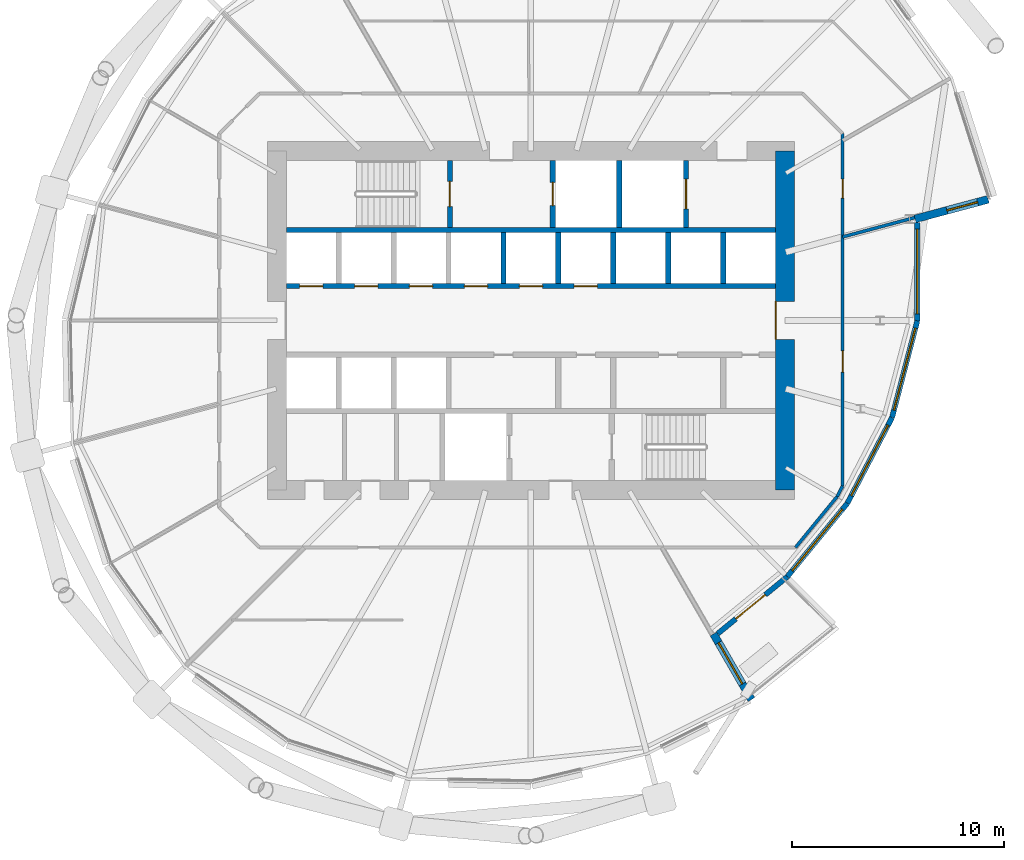
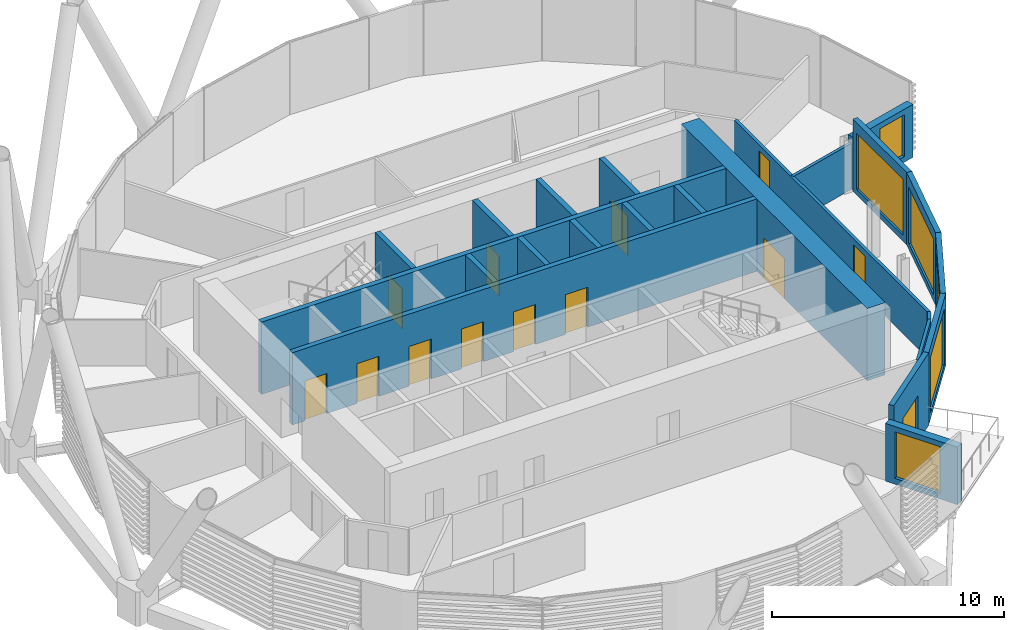
# One storey, part 29 of 40: 23 walls, 13 doors, 6 windows, 19 openings.
"""IFC4 building model written with IfcOpenShell, lengths in metres."""

from ifc_helpers import new_model, si_unit, direction, frame, frame_2d, origin, place, context, subcontext, project, spatial, rectangle, extrude, material, layer, layer_set, type_object, element, fill, save


model = new_model("IFC4")

# Units and contexts
model_context = context("Model", 3, precision=1e-05, world=origin(), true_north=direction((0.0, 1.0)))
body_context = subcontext(model_context, "Body", "Model", "MODEL_VIEW")
ifc_project = project(units=[si_unit("LENGTHUNIT", "METRE"), si_unit("AREAUNIT", "SQUARE_METRE"), si_unit("VOLUMEUNIT", "CUBIC_METRE"), si_unit("PLANEANGLEUNIT", "RADIAN"), si_unit("MASSUNIT", "GRAM", prefix="KILO")], contexts=[model_context])

# Site, building, storey
site_placement = place(None, origin())
site = spatial("IfcSite", under=ifc_project, at=site_placement, CompositionType="ELEMENT")
building_placement = place(site_placement, origin())
building = spatial("IfcBuilding", under=site, at=building_placement, Name="Rimbun Link Towers", CompositionType="ELEMENT")
storey_placement = place(building_placement, frame((0.0, 0.0, 52.800048828125)))
storey = spatial("IfcBuildingStorey", under=building, at=storey_placement, Name="L12", CompositionType="ELEMENT", Elevation=52.800048828125)

# Wall, opening, door
ifc_material_1 = material(Name="Dark enamelled glass spandrel on insulated aluminium backpan", Category="aluminium")
ifc_layer_1 = layer(ifc_material_1, 0.25)
ifc_layer_set_1 = layer_set([ifc_layer_1], Name="CS dark enamelled spandrel wall 250")
wall_type_1 = type_object("IfcWallType", Name="CS dark enamelled spandrel wall 250", PredefinedType="STANDARD", material=ifc_layer_set_1)
wall_1_placement = place(storey_placement, frame((43.859130859375, -12.109130859375, 0.0), z_axis=(0.0, 0.0, 1.0), x_axis=(-0.773862321131, -0.633353856809, 0.0)))
wall_1 = element("IfcWall", 1, at=wall_1_placement, inside=storey, type_object=wall_type_1, Name="Crease spandrel wall", PredefinedType="STANDARD", context=body_context, shape_type="SweptSolid", body=[
    extrude(rectangle(XDim=4.23779296875, YDim=0.25, at=frame_2d((2.118896484375, 0.0))), origin(), (0.0, 0.0, 1.0), 3.800048828125),
])
opening_1_placement = place(wall_1_placement, frame((1.341552734375, 0.0, 0.0)))
opening_1 = element("IfcOpeningElement", 2, at=opening_1_placement, cuts=wall_1, Name="Opening ED56", PredefinedType="OPENING", context=body_context, shape_type="SweptSolid", body=[
    extrude(rectangle(XDim=1.800048828125, YDim=2.39990234375, at=frame_2d((0.89990234375, 1.199951171875))), frame((0.0, 0.135009765625, 0.0), z_axis=(0.0, -1.0, 0.0), x_axis=(1.0, 0.0, 0.0)), (0.0, 0.0, 1.0), 0.27001953125),
])
ifc_material_2 = material(Name="Aluminium framed glazed door, low-iron glass", Category="aluminium")
door_type_1 = type_object("IfcDoorType", Name="ED terrace door double leaf 1800X2400", OperationType="DOUBLE_DOOR_SINGLE_SWING", PredefinedType="DOOR", material=ifc_material_2)
door_1_placement = place(opening_1_placement, origin())
door_1 = element("IfcDoor", 3, at=door_1_placement, inside=storey, type_object=door_type_1, Name="Terrace door", OperationType="SINGLE_SWING_LEFT", OverallHeight=2.39990234375, OverallWidth=1.800048828125, PredefinedType="DOOR", context=body_context, shape_type="SweptSolid", body=[
    extrude(rectangle(XDim=1.800048828125, YDim=2.39990234375, at=frame_2d((0.89990234375, 1.199951171875))), frame((0.0, 0.02490234375, 0.0), z_axis=(0.0, -1.0, 0.0), x_axis=(1.0, 0.0, 0.0)), (0.0, 0.0, 1.0), 0.050048828125),
])
fill(opening_1, door_1)

# Wall, opening, window
wall_2_placement = place(storey_placement, frame((46.698974609375, -8.639404296875, 0.0), z_axis=(0.0, 0.0, 1.0), x_axis=(-0.633368246821, -0.773850543657, 0.0)))
wall_2 = element("IfcWall", 4, at=wall_2_placement, inside=storey, type_object=wall_type_1, Name="Crease spandrel wall", PredefinedType="STANDARD", context=body_context, shape_type="SweptSolid", body=[
    extrude(rectangle(XDim=4.483642578125, YDim=0.25, at=frame_2d((2.24169921875, 0.0))), origin(), (0.0, 0.0, 1.0), 3.800048828125),
])
opening_2_placement = place(wall_2_placement, frame((0.366943359375, 0.0, 0.300048828125)))
opening_2 = element("IfcOpeningElement", 5, at=opening_2_placement, cuts=wall_2, Name="Opening WR38H295", PredefinedType="OPENING", context=body_context, shape_type="SweptSolid", body=[
    extrude(rectangle(XDim=3.75, YDim=2.949951171875, at=frame_2d((1.875, 1.47509765625))), frame((0.0, 0.135009765625, 0.0), z_axis=(0.0, -1.0, 0.0), x_axis=(1.0, 0.0, 0.0)), (0.0, 0.0, 1.0), 0.27001953125),
])
ifc_material_3 = material(Name="Aluminium framed fixed window, dark tinted low-e glass", Category="aluminium")
window_type_1 = type_object("IfcWindowType", Name="WR ribbon window 3750X2950", PartitioningType="SINGLE_PANEL", PredefinedType="WINDOW", material=ifc_material_3)
window_1_placement = place(opening_2_placement, origin())
window_1 = element("IfcWindow", 6, at=window_1_placement, inside=storey, type_object=window_type_1, Name="Crease ribbon window", OverallHeight=2.949951171875, OverallWidth=3.75, PartitioningType="SINGLE_PANEL", PredefinedType="WINDOW", context=body_context, shape_type="SweptSolid", body=[
    extrude(rectangle(XDim=3.75, YDim=2.949951171875, at=frame_2d((1.875, 1.47509765625))), frame((0.0, 0.030029296875, 0.0), z_axis=(0.0, -1.0, 0.0), x_axis=(1.0, 0.0, 0.0)), (0.0, 0.0, 1.0), 0.06005859375),
])
fill(opening_2, window_1)

wall_3_placement = place(storey_placement, frame((48.811767578125, -4.58544921875, 0.0), z_axis=(0.0, 0.0, 1.0), x_axis=(-0.462168079919, -0.886792346552, 0.0)))
wall_3 = element("IfcWall", 7, at=wall_3_placement, inside=storey, type_object=wall_type_1, Name="Crease spandrel wall", PredefinedType="STANDARD", context=body_context, shape_type="SweptSolid", body=[
    extrude(rectangle(XDim=4.571533203125, YDim=0.25, at=frame_2d((2.28564453125, 0.0))), origin(), (0.0, 0.0, 1.0), 3.800048828125),
])
opening_3_placement = place(wall_3_placement, frame((0.41064453125, 0.0, 0.300048828125)))
opening_3 = element("IfcOpeningElement", 8, at=opening_3_placement, cuts=wall_3, Name="Opening WR38H295", PredefinedType="OPENING", context=body_context, shape_type="SweptSolid", body=[
    extrude(rectangle(XDim=3.75, YDim=2.949951171875, at=frame_2d((1.875, 1.47509765625))), frame((0.0, 0.135009765625, 0.0), z_axis=(0.0, -1.0, 0.0), x_axis=(1.0, 0.0, 0.0)), (0.0, 0.0, 1.0), 0.27001953125),
])
window_2_placement = place(opening_3_placement, origin())
window_2 = element("IfcWindow", 9, at=window_2_placement, inside=storey, type_object=window_type_1, Name="Crease ribbon window", OverallHeight=2.949951171875, OverallWidth=3.75, PartitioningType="SINGLE_PANEL", PredefinedType="WINDOW", context=body_context, shape_type="SweptSolid", body=[
    extrude(rectangle(XDim=3.75, YDim=2.949951171875, at=frame_2d((1.875, 1.47509765625))), frame((0.0, 0.030029296875, 0.0), z_axis=(0.0, -1.0, 0.0), x_axis=(1.0, 0.0, 0.0)), (0.0, 0.0, 1.0), 0.06005859375),
])
fill(opening_3, window_2)

wall_4_placement = place(storey_placement, frame((50.00537109375, -0.01611328125, 0.0), z_axis=(0.0, 0.0, 1.0), x_axis=(-0.252739651184, -0.967534324311, 0.0)))
wall_4 = element("IfcWall", 10, at=wall_4_placement, inside=storey, type_object=wall_type_1, Name="Crease spandrel wall", PredefinedType="STANDARD", context=body_context, shape_type="SweptSolid", body=[
    extrude(rectangle(XDim=4.72265625, YDim=0.25, at=frame_2d((2.361328125, 0.0))), origin(), (0.0, 0.0, 1.0), 3.800048828125),
])
opening_4_placement = place(wall_4_placement, frame((0.361328125, 0.0, 0.300048828125)))
opening_4 = element("IfcOpeningElement", 11, at=opening_4_placement, cuts=wall_4, Name="Opening WR40H295", PredefinedType="OPENING", context=body_context, shape_type="SweptSolid", body=[
    extrude(rectangle(XDim=4.0, YDim=2.949951171875, at=frame_2d((2.0, 1.47509765625))), frame((0.0, 0.135009765625, 0.0), z_axis=(0.0, -1.0, 0.0), x_axis=(1.0, 0.0, 0.0)), (0.0, 0.0, 1.0), 0.27001953125),
])
ifc_material_4 = material(Name="Aluminium framed fixed window, dark tinted low-e glass", Category="aluminium")
window_type_2 = type_object("IfcWindowType", Name="WR ribbon window 4000X2950", PartitioningType="SINGLE_PANEL", PredefinedType="WINDOW", material=ifc_material_4)
window_3_placement = place(opening_4_placement, origin())
window_3 = element("IfcWindow", 12, at=window_3_placement, inside=storey, type_object=window_type_2, Name="Crease ribbon window", OverallHeight=2.949951171875, OverallWidth=4.0, PartitioningType="SINGLE_PANEL", PredefinedType="WINDOW", context=body_context, shape_type="SweptSolid", body=[
    extrude(rectangle(XDim=4.0, YDim=2.949951171875, at=frame_2d((2.0, 1.47509765625))), frame((0.0, 0.030029296875, 0.0), z_axis=(0.0, -1.0, 0.0), x_axis=(1.0, 0.0, 0.0)), (0.0, 0.0, 1.0), 0.06005859375),
])
fill(opening_4, window_3)

wall_5_placement = place(storey_placement, frame((50.005859375, 4.6328125, 0.0), z_axis=(0.0, 0.0, 1.0), x_axis=(-0.000105030984, -0.999999994484, 0.0)))
wall_5 = element("IfcWall", 13, at=wall_5_placement, inside=storey, type_object=wall_type_1, Name="Crease spandrel wall", PredefinedType="STANDARD", context=body_context, shape_type="SweptSolid", body=[
    extrude(rectangle(XDim=4.64892578125, YDim=0.25, at=frame_2d((2.324462890625, 0.0))), origin(), (0.0, 0.0, 1.0), 3.800048828125),
])
opening_5_placement = place(wall_5_placement, frame((0.324462890625, 0.0, 0.300048828125)))
opening_5 = element("IfcOpeningElement", 14, at=opening_5_placement, cuts=wall_5, Name="Opening WR40H295", PredefinedType="OPENING", context=body_context, shape_type="SweptSolid", body=[
    extrude(rectangle(XDim=4.0, YDim=2.949951171875, at=frame_2d((2.0, 1.47509765625))), frame((0.0, 0.135009765625, 0.0), z_axis=(0.0, -1.0, 0.0), x_axis=(1.0, 0.0, 0.0)), (0.0, 0.0, 1.0), 0.27001953125),
])
window_4_placement = place(opening_5_placement, origin())
window_4 = element("IfcWindow", 15, at=window_4_placement, inside=storey, type_object=window_type_2, Name="Crease ribbon window", OverallHeight=2.949951171875, OverallWidth=4.0, PartitioningType="SINGLE_PANEL", PredefinedType="WINDOW", context=body_context, shape_type="SweptSolid", body=[
    extrude(rectangle(XDim=4.0, YDim=2.949951171875, at=frame_2d((2.0, 1.47509765625))), frame((0.0, 0.030029296875, 0.0), z_axis=(0.0, -1.0, 0.0), x_axis=(1.0, 0.0, 0.0)), (0.0, 0.0, 1.0), 0.06005859375),
])
fill(opening_5, window_4)

ifc_material_5 = material(Name="Dark enamelled glass spandrel on insulated aluminium backpan", Category="aluminium")
ifc_layer_2 = layer(ifc_material_5, 0.3701171875)
ifc_layer_set_2 = layer_set([ifc_layer_2], Name="CS dark enamelled spandrel wall 370")
wall_type_2 = type_object("IfcWallType", Name="CS dark enamelled spandrel wall 370", PredefinedType="STANDARD", material=ifc_layer_set_2)
wall_6_placement = place(storey_placement, frame((40.37646484375, -14.8115234375, 0.0), z_axis=(0.0, 0.0, 1.0), x_axis=(0.500011709085, -0.866018643436, 0.0)))
wall_6 = element("IfcWall", 16, at=wall_6_placement, inside=storey, type_object=wall_type_2, Name="Crease spandrel wall", PredefinedType="STANDARD", context=body_context, shape_type="SweptSolid", body=[
    extrude(rectangle(XDim=3.580078125, YDim=0.3701171875, at=frame_2d((1.7900390625, 0.0))), origin(), (0.0, 0.0, 1.0), 3.02734375),
])
opening_6_placement = place(wall_6_placement, frame((0.4765625, 0.0, 0.300048828125)))
opening_6 = element("IfcOpeningElement", 17, at=opening_6_placement, cuts=wall_6, Name="Opening WR22H245", PredefinedType="OPENING", context=body_context, shape_type="SweptSolid", body=[
    extrude(rectangle(XDim=2.25, YDim=2.449951171875, at=frame_2d((1.125, 1.22509765625))), frame((0.0, 0.195068359375, 0.0), z_axis=(0.0, -1.0, 0.0), x_axis=(1.0, 0.0, 0.0)), (0.0, 0.0, 1.0), 0.39013671875),
])
ifc_material_6 = material(Name="Aluminium framed fixed window, dark tinted low-e glass", Category="aluminium")
window_type_3 = type_object("IfcWindowType", Name="WR ribbon window 2250X2450", PartitioningType="SINGLE_PANEL", PredefinedType="WINDOW", material=ifc_material_6)
window_5_placement = place(opening_6_placement, origin())
window_5 = element("IfcWindow", 18, at=window_5_placement, inside=storey, type_object=window_type_3, Name="Crease ribbon window", OverallHeight=2.449951171875, OverallWidth=2.25, PartitioningType="SINGLE_PANEL", PredefinedType="WINDOW", context=body_context, shape_type="SweptSolid", body=[
    extrude(rectangle(XDim=2.25, YDim=2.449951171875, at=frame_2d((1.125, 1.22509765625))), frame((0.0, 0.030029296875, 0.0), z_axis=(0.0, -1.0, 0.0), x_axis=(1.0, 0.0, 0.0)), (0.0, 0.0, 1.0), 0.06005859375),
])
fill(opening_6, window_5)

wall_7_placement = place(storey_placement, frame((53.355712890625, 5.721923828125, 0.0), z_axis=(0.0, 0.0, 1.0), x_axis=(-0.965929787715, -0.258804260405, 0.0)))
wall_7 = element("IfcWall", 19, at=wall_7_placement, inside=storey, type_object=wall_type_2, Name="Crease spandrel wall", PredefinedType="STANDARD", context=body_context, shape_type="SweptSolid", body=[
    extrude(rectangle(XDim=3.580078125, YDim=0.3701171875, at=frame_2d((1.7900390625, 0.0))), origin(), (0.0, 0.0, 1.0), 2.789306640625),
])
opening_7_placement = place(wall_7_placement, frame((0.5224609375, 0.0, 0.300048828125)))
opening_7 = element("IfcOpeningElement", 20, at=opening_7_placement, cuts=wall_7, Name="Opening WR15H220", PredefinedType="OPENING", context=body_context, shape_type="SweptSolid", body=[
    extrude(rectangle(XDim=1.5, YDim=2.199951171875, at=frame_2d((0.75, 1.10009765625))), frame((0.0, 0.195068359375, 0.0), z_axis=(0.0, -1.0, 0.0), x_axis=(1.0, 0.0, 0.0)), (0.0, 0.0, 1.0), 0.39013671875),
])
ifc_material_7 = material(Name="Aluminium framed fixed window, dark tinted low-e glass", Category="aluminium")
window_type_4 = type_object("IfcWindowType", Name="WR ribbon window 1500X2200", PartitioningType="SINGLE_PANEL", PredefinedType="WINDOW", material=ifc_material_7)
window_6_placement = place(opening_7_placement, origin())
window_6 = element("IfcWindow", 21, at=window_6_placement, inside=storey, type_object=window_type_4, Name="Crease ribbon window", OverallHeight=2.199951171875, OverallWidth=1.5, PartitioningType="SINGLE_PANEL", PredefinedType="WINDOW", context=body_context, shape_type="SweptSolid", body=[
    extrude(rectangle(XDim=1.5, YDim=2.199951171875, at=frame_2d((0.75, 1.10009765625))), frame((0.0, 0.030029296875, 0.0), z_axis=(0.0, -1.0, 0.0), x_axis=(1.0, 0.0, 0.0)), (0.0, 0.0, 1.0), 0.06005859375),
])
fill(opening_7, window_6)

# Wall, opening, door
ifc_material_8 = material(Name="Concrete C60/75", Category="concrete")
ifc_layer_3 = layer(ifc_material_8, 0.89990234375)
ifc_layer_set_3 = layer_set([ifc_layer_3], Name="Core shear wall 900")
wall_type_3 = type_object("IfcWallType", Name="Core shear wall 900", PredefinedType="SHEAR", material=ifc_layer_set_3)
wall_8_placement = place(storey_placement, frame((43.75, -8.0, 0.0), z_axis=(0.0, 0.0, 1.0), x_axis=(0.0, 1.0, 0.0)))
wall_8 = element("IfcWall", 22, at=wall_8_placement, inside=storey, type_object=wall_type_3, Name="L12 T2 core wall E", PredefinedType="SHEAR", context=body_context, shape_type="SweptSolid", body=[
    extrude(rectangle(XDim=16.0, YDim=0.89990234375, at=frame_2d((8.0, 0.0))), origin(), (0.0, 0.0, 1.0), 3.800048828125),
])
opening_8_placement = place(wall_8_placement, frame((7.10009765625, 0.0, 0.0)))
opening_8 = element("IfcOpeningElement", 23, at=opening_8_placement, cuts=wall_8, Name="Opening C2DCL01E", PredefinedType="OPENING", context=body_context, shape_type="SweptSolid", body=[
    extrude(rectangle(XDim=1.800048828125, YDim=2.10009765625, at=frame_2d((0.89990234375, 1.050048828125))), frame((0.0, 0.4599609375, 0.0), z_axis=(0.0, -1.0, 0.0), x_axis=(1.0, 0.0, 0.0)), (0.0, 0.0, 1.0), 0.919921875),
])
ifc_material_9 = material(Name="Steel fire door set", Category="steel")
door_type_2 = type_object("IfcDoorType", Name="Core lobby door double", OperationType="DOUBLE_DOOR_SINGLE_SWING", PredefinedType="DOOR", material=ifc_material_9)
door_2_placement = place(opening_8_placement, origin())
door_2 = element("IfcDoor", 24, at=door_2_placement, inside=storey, type_object=door_type_2, Name="L12 T2 lift lobby door", OperationType="DOUBLE_DOOR_SINGLE_SWING", OverallHeight=2.10009765625, OverallWidth=1.800048828125, PredefinedType="DOOR", context=body_context, shape_type="SweptSolid", body=[
    extrude(rectangle(XDim=1.800048828125, YDim=2.10009765625, at=frame_2d((0.89990234375, 1.050048828125))), frame((0.0, 0.4501953125, 0.0), z_axis=(0.0, -1.0, 0.0), x_axis=(1.0, 0.0, 0.0)), (0.0, 0.0, 1.0), 0.050048828125),
])
fill(opening_8, door_2)

# Wall, openings, doors
ifc_material_10 = material(Name="Plasterboard on steel stud, mineral wool", Category="steel")
ifc_layer_4 = layer(ifc_material_10, 0.14990234375)
ifc_layer_set_4 = layer_set([ifc_layer_4], Name="Corridor wall EI 30 150 mm")
wall_type_4 = type_object("IfcWallType", Name="Corridor wall EI 30 150 mm", PredefinedType="PARTITIONING", material=ifc_layer_set_4)
wall_9_placement = place(storey_placement, frame((46.47509765625, 8.82666015625, 0.0), z_axis=(0.0, 0.0, 1.0), x_axis=(0.0, -1.0, 0.0)))
wall_9 = element("IfcWall", 25, at=wall_9_placement, inside=storey, type_object=wall_type_4, Name="Corridor wall EI 30 150 mm", PredefinedType="PARTITIONING", context=body_context, shape_type="SweptSolid", body=[
    extrude(rectangle(XDim=16.651611328125, YDim=0.14990234375, at=frame_2d((8.32568359375, 0.0))), origin(), (0.0, 0.0, 1.0), 2.419921875),
])
opening_9_placement = place(wall_9_placement, frame((2.1533203125, 0.0, 0.0)))
opening_9 = element("IfcOpeningElement", 26, at=opening_9_placement, cuts=wall_9, Name="Opening D02", PredefinedType="OPENING", context=body_context, shape_type="SweptSolid", body=[
    extrude(rectangle(XDim=0.89990234375, YDim=2.10009765625, at=frame_2d((0.449951171875, 1.050048828125))), frame((0.0, 0.0849609375, 0.0), z_axis=(0.0, -1.0, 0.0), x_axis=(1.0, 0.0, 0.0)), (0.0, 0.0, 1.0), 0.169921875),
])
opening_10_placement = place(wall_9_placement, frame((10.266357421875, 0.0, 0.0)))
opening_10 = element("IfcOpeningElement", 27, at=opening_10_placement, cuts=wall_9, Name="Opening D01", PredefinedType="OPENING", context=body_context, shape_type="SweptSolid", body=[
    extrude(rectangle(XDim=1.0, YDim=2.10009765625, at=frame_2d((0.5, 1.050048828125))), frame((0.0, 0.0849609375, 0.0), z_axis=(0.0, -1.0, 0.0), x_axis=(1.0, 0.0, 0.0)), (0.0, 0.0, 1.0), 0.169921875),
])
ifc_material_11 = material(Name="Fire-resisting timber door leaf", Category="wood")
door_type_3 = type_object("IfcDoorType", Name="Fire door FD30S 1000", OperationType="NOTDEFINED", PredefinedType="DOOR", material=ifc_material_11)
door_3_placement = place(opening_10_placement, origin())
door_3 = element("IfcDoor", 28, at=door_3_placement, inside=storey, type_object=door_type_3, Name="Fire door FD30S 1000 to Terrace office", OperationType="SINGLE_SWING_LEFT", OverallHeight=2.10009765625, OverallWidth=1.0, PredefinedType="DOOR", context=body_context, shape_type="SweptSolid", body=[
    extrude(rectangle(XDim=1.0, YDim=2.10009765625, at=frame_2d((0.5, 1.050048828125))), frame((0.0, 0.02490234375, 0.0), z_axis=(0.0, -1.0, 0.0), x_axis=(1.0, 0.0, 0.0)), (0.0, 0.0, 1.0), 0.050048828125),
])
fill(opening_10, door_3)
ifc_material_12 = material(Name="Fire-resisting timber door leaf", Category="wood")
door_type_4 = type_object("IfcDoorType", Name="Fire door FD30S 900", OperationType="NOTDEFINED", PredefinedType="DOOR", material=ifc_material_12)
door_4_placement = place(opening_9_placement, origin())
door_4 = element("IfcDoor", 29, at=door_4_placement, inside=storey, type_object=door_type_4, Name="Fire door FD30S 900 to Print room", OperationType="SINGLE_SWING_LEFT", OverallHeight=2.10009765625, OverallWidth=0.89990234375, PredefinedType="DOOR", context=body_context, shape_type="SweptSolid", body=[
    extrude(rectangle(XDim=0.89990234375, YDim=2.10009765625, at=frame_2d((0.449951171875, 1.050048828125))), frame((0.0, 0.02490234375, 0.0), z_axis=(0.0, -1.0, 0.0), x_axis=(1.0, 0.0, 0.0)), (0.0, 0.0, 1.0), 0.050048828125),
])
fill(opening_9, door_4)

# Walls
wall_10_placement = place(storey_placement, frame((46.21630859375, -8.321044921875, 0.0), z_axis=(0.0, 0.0, 1.0), x_axis=(0.462506359197, 0.886615964046, 0.0)))
element("IfcWall", 30, at=wall_10_placement, inside=storey, type_object=wall_type_4, Name="Corridor wall EI 30 150 mm", PredefinedType="PARTITIONING", context=body_context, shape_type="SweptSolid", body=[
    extrude(rectangle(XDim=0.5595703125, YDim=0.14990234375, at=frame_2d((0.27978515625, 0.0))), origin(), (0.0, 0.0, 1.0), 2.419921875),
])
wall_11_placement = place(storey_placement, frame((44.248779296875, -10.72509765625, 0.0), z_axis=(0.0, 0.0, 1.0), x_axis=(0.63334905334, 0.773866252419, 0.0)))
element("IfcWall", 31, at=wall_11_placement, inside=storey, type_object=wall_type_4, Name="Corridor wall EI 30 150 mm", PredefinedType="PARTITIONING", context=body_context, shape_type="SweptSolid", body=[
    extrude(rectangle(XDim=3.1064453125, YDim=0.14990234375, at=frame_2d((1.55322265625, 0.0))), origin(), (0.0, 0.0, 1.0), 2.419921875),
])
ifc_material_13 = material(Name="Concrete C60/75", Category="concrete")
ifc_layer_5 = layer(ifc_material_13, 0.25)
ifc_layer_set_5 = layer_set([ifc_layer_5], Name="Shaft wall 250")
wall_type_5 = type_object("IfcWallType", Name="Shaft wall 250", PredefinedType="SHEAR", material=ifc_layer_set_5)
wall_12_placement = place(storey_placement, frame((20.199951171875, 4.27490234375, 0.0), z_axis=(0.0, 0.0, 1.0), x_axis=(1.0, 0.0, 0.0)))
element("IfcWall", 32, at=wall_12_placement, inside=storey, type_object=wall_type_5, Name="L12 T2 core wall BN", PredefinedType="SHEAR", context=body_context, shape_type="SweptSolid", body=[
    extrude(rectangle(XDim=23.10009765625, YDim=0.25, at=frame_2d((11.550048828125, 0.0))), origin(), (0.0, 0.0, 1.0), 3.800048828125),
])

# Wall, openings, doors
wall_13_placement = place(storey_placement, frame((20.199951171875, 1.625, 0.0), z_axis=(0.0, 0.0, 1.0), x_axis=(1.0, 0.0, 0.0)))
wall_13 = element("IfcWall", 33, at=wall_13_placement, inside=storey, type_object=wall_type_5, Name="L12 T2 core wall FN", PredefinedType="SHEAR", context=body_context, shape_type="SweptSolid", body=[
    extrude(rectangle(XDim=23.10009765625, YDim=0.25, at=frame_2d((11.550048828125, 0.0))), origin(), (0.0, 0.0, 1.0), 3.800048828125),
])
opening_11_placement = place(wall_13_placement, frame((0.622314453125, 0.0, 0.0)))
opening_11 = element("IfcOpeningElement", 34, at=opening_11_placement, cuts=wall_13, Name="Opening LD-T2-LR1", PredefinedType="OPENING", context=body_context, shape_type="SweptSolid", body=[
    extrude(rectangle(XDim=1.10009765625, YDim=2.10009765625, at=frame_2d((0.550048828125, 1.050048828125))), frame((0.0, 0.135009765625, 0.0), z_axis=(0.0, -1.0, 0.0), x_axis=(1.0, 0.0, 0.0)), (0.0, 0.0, 1.0), 0.27001953125),
])
opening_12_placement = place(wall_13_placement, frame((3.216796875, 0.0, 0.0)))
opening_12 = element("IfcOpeningElement", 35, at=opening_12_placement, cuts=wall_13, Name="Opening LD-T2-LR2", PredefinedType="OPENING", context=body_context, shape_type="SweptSolid", body=[
    extrude(rectangle(XDim=1.10009765625, YDim=2.10009765625, at=frame_2d((0.550048828125, 1.050048828125))), frame((0.0, 0.135009765625, 0.0), z_axis=(0.0, -1.0, 0.0), x_axis=(1.0, 0.0, 0.0)), (0.0, 0.0, 1.0), 0.27001953125),
])
opening_13_placement = place(wall_13_placement, frame((5.81103515625, 0.0, 0.0)))
opening_13 = element("IfcOpeningElement", 36, at=opening_13_placement, cuts=wall_13, Name="Opening LD-T2-LR3", PredefinedType="OPENING", context=body_context, shape_type="SweptSolid", body=[
    extrude(rectangle(XDim=1.10009765625, YDim=2.10009765625, at=frame_2d((0.550048828125, 1.050048828125))), frame((0.0, 0.135009765625, 0.0), z_axis=(0.0, -1.0, 0.0), x_axis=(1.0, 0.0, 0.0)), (0.0, 0.0, 1.0), 0.27001953125),
])
opening_14_placement = place(wall_13_placement, frame((8.405517578125, 0.0, 0.0)))
opening_14 = element("IfcOpeningElement", 37, at=opening_14_placement, cuts=wall_13, Name="Opening LD-T2-LR4", PredefinedType="OPENING", context=body_context, shape_type="SweptSolid", body=[
    extrude(rectangle(XDim=1.10009765625, YDim=2.10009765625, at=frame_2d((0.550048828125, 1.050048828125))), frame((0.0, 0.135009765625, 0.0), z_axis=(0.0, -1.0, 0.0), x_axis=(1.0, 0.0, 0.0)), (0.0, 0.0, 1.0), 0.27001953125),
])
opening_15_placement = place(wall_13_placement, frame((11.0, 0.0, 0.0)))
opening_15 = element("IfcOpeningElement", 38, at=opening_15_placement, cuts=wall_13, Name="Opening LD-T2-LR5", PredefinedType="OPENING", context=body_context, shape_type="SweptSolid", body=[
    extrude(rectangle(XDim=1.10009765625, YDim=2.10009765625, at=frame_2d((0.550048828125, 1.050048828125))), frame((0.0, 0.135009765625, 0.0), z_axis=(0.0, -1.0, 0.0), x_axis=(1.0, 0.0, 0.0)), (0.0, 0.0, 1.0), 0.27001953125),
])
opening_16_placement = place(wall_13_placement, frame((13.594482421875, 0.0, 0.0)))
opening_16 = element("IfcOpeningElement", 39, at=opening_16_placement, cuts=wall_13, Name="Opening LD-T2-LR6", PredefinedType="OPENING", context=body_context, shape_type="SweptSolid", body=[
    extrude(rectangle(XDim=1.10009765625, YDim=2.10009765625, at=frame_2d((0.550048828125, 1.050048828125))), frame((0.0, 0.135009765625, 0.0), z_axis=(0.0, -1.0, 0.0), x_axis=(1.0, 0.0, 0.0)), (0.0, 0.0, 1.0), 0.27001953125),
])
ifc_material_14 = material(Name="Stainless steel grade 316", Category="steel")
door_type_5 = type_object("IfcDoorType", Name="Lift landing door", OperationType="DOUBLE_DOOR_SLIDING", PredefinedType="DOOR", material=ifc_material_14)
door_5_placement = place(opening_11_placement, origin())
door_5 = element("IfcDoor", 40, at=door_5_placement, inside=storey, type_object=door_type_5, Name="L12 T2 lift LR1 landing door", OperationType="DOUBLE_DOOR_SLIDING", OverallHeight=2.10009765625, OverallWidth=1.10009765625, PredefinedType="DOOR", context=body_context, shape_type="SweptSolid", body=[
    extrude(rectangle(XDim=1.10009765625, YDim=2.10009765625, at=frame_2d((0.550048828125, 1.050048828125))), frame((0.0, 0.02490234375, 0.0), z_axis=(0.0, -1.0, 0.0), x_axis=(1.0, 0.0, 0.0)), (0.0, 0.0, 1.0), 0.050048828125),
])
fill(opening_11, door_5)
door_6_placement = place(opening_12_placement, origin())
door_6 = element("IfcDoor", 41, at=door_6_placement, inside=storey, type_object=door_type_5, Name="L12 T2 lift LR2 landing door", OperationType="DOUBLE_DOOR_SLIDING", OverallHeight=2.10009765625, OverallWidth=1.10009765625, PredefinedType="DOOR", context=body_context, shape_type="SweptSolid", body=[
    extrude(rectangle(XDim=1.10009765625, YDim=2.10009765625, at=frame_2d((0.550048828125, 1.050048828125))), frame((0.0, 0.02490234375, 0.0), z_axis=(0.0, -1.0, 0.0), x_axis=(1.0, 0.0, 0.0)), (0.0, 0.0, 1.0), 0.050048828125),
])
fill(opening_12, door_6)
door_7_placement = place(opening_13_placement, origin())
door_7 = element("IfcDoor", 42, at=door_7_placement, inside=storey, type_object=door_type_5, Name="L12 T2 lift LR3 landing door", OperationType="DOUBLE_DOOR_SLIDING", OverallHeight=2.10009765625, OverallWidth=1.10009765625, PredefinedType="DOOR", context=body_context, shape_type="SweptSolid", body=[
    extrude(rectangle(XDim=1.10009765625, YDim=2.10009765625, at=frame_2d((0.550048828125, 1.050048828125))), frame((0.0, 0.02490234375, 0.0), z_axis=(0.0, -1.0, 0.0), x_axis=(1.0, 0.0, 0.0)), (0.0, 0.0, 1.0), 0.050048828125),
])
fill(opening_13, door_7)
door_8_placement = place(opening_14_placement, origin())
door_8 = element("IfcDoor", 43, at=door_8_placement, inside=storey, type_object=door_type_5, Name="L12 T2 lift LR4 landing door", OperationType="DOUBLE_DOOR_SLIDING", OverallHeight=2.10009765625, OverallWidth=1.10009765625, PredefinedType="DOOR", context=body_context, shape_type="SweptSolid", body=[
    extrude(rectangle(XDim=1.10009765625, YDim=2.10009765625, at=frame_2d((0.550048828125, 1.050048828125))), frame((0.0, 0.02490234375, 0.0), z_axis=(0.0, -1.0, 0.0), x_axis=(1.0, 0.0, 0.0)), (0.0, 0.0, 1.0), 0.050048828125),
])
fill(opening_14, door_8)
door_9_placement = place(opening_15_placement, origin())
door_9 = element("IfcDoor", 44, at=door_9_placement, inside=storey, type_object=door_type_5, Name="L12 T2 lift LR5 landing door", OperationType="DOUBLE_DOOR_SLIDING", OverallHeight=2.10009765625, OverallWidth=1.10009765625, PredefinedType="DOOR", context=body_context, shape_type="SweptSolid", body=[
    extrude(rectangle(XDim=1.10009765625, YDim=2.10009765625, at=frame_2d((0.550048828125, 1.050048828125))), frame((0.0, 0.02490234375, 0.0), z_axis=(0.0, -1.0, 0.0), x_axis=(1.0, 0.0, 0.0)), (0.0, 0.0, 1.0), 0.050048828125),
])
fill(opening_15, door_9)
door_10_placement = place(opening_16_placement, origin())
door_10 = element("IfcDoor", 45, at=door_10_placement, inside=storey, type_object=door_type_5, Name="L12 T2 lift LR6 landing door", OperationType="DOUBLE_DOOR_SLIDING", OverallHeight=2.10009765625, OverallWidth=1.10009765625, PredefinedType="DOOR", context=body_context, shape_type="SweptSolid", body=[
    extrude(rectangle(XDim=1.10009765625, YDim=2.10009765625, at=frame_2d((0.550048828125, 1.050048828125))), frame((0.0, 0.02490234375, 0.0), z_axis=(0.0, -1.0, 0.0), x_axis=(1.0, 0.0, 0.0)), (0.0, 0.0, 1.0), 0.050048828125),
])
fill(opening_16, door_10)

# Walls
for number, where, z_axis, x_axis, name in (
    (46, (30.452880859375, 1.75, 0.0), (0.0, 0.0, 1.0), (0.0, 1.0, 0.0), "L12 T2 core wall DN3"),
    (47, (33.047119140625, 1.75, 0.0), (0.0, 0.0, 1.0), (0.0, 1.0, 0.0), "L12 T2 core wall DN4"),
    (48, (35.6416015625, 1.75, 0.0), (0.0, 0.0, 1.0), (0.0, 1.0, 0.0), "L12 T2 core wall DN5"),
    (49, (38.236083984375, 1.75, 0.0), (0.0, 0.0, 1.0), (0.0, 1.0, 0.0), "L12 T2 core wall DN6"),
    (50, (40.83056640625, 1.75, 0.0), (0.0, 0.0, 1.0), (0.0, 1.0, 0.0), "L12 T2 core wall DN7"),
):
    element("IfcWall", number, at=place(storey_placement, frame(where, z_axis=z_axis, x_axis=x_axis)), inside=storey, type_object=wall_type_5, Name=name, PredefinedType="SHEAR", context=body_context, shape_type="SweptSolid", body=[
        extrude(rectangle(XDim=2.39990234375, YDim=0.25, at=frame_2d((1.199951171875, 0.0))), origin(), (0.0, 0.0, 1.0), 3.800048828125),
    ])

# Wall, opening, door
wall_14_placement = place(storey_placement, frame((27.925048828125, 4.39990234375, 0.0), z_axis=(0.0, 0.0, 1.0), x_axis=(0.0, 1.0, 0.0)))
wall_14 = element("IfcWall", 51, at=wall_14_placement, inside=storey, type_object=wall_type_5, Name="L12 T2 core wall A1", PredefinedType="SHEAR", context=body_context, shape_type="SweptSolid", body=[
    extrude(rectangle(XDim=3.150146484375, YDim=0.25, at=frame_2d((1.5751953125, 0.0))), origin(), (0.0, 0.0, 1.0), 3.800048828125),
])
opening_17_placement = place(wall_14_placement, frame((0.97509765625, 0.0, 0.0)))
opening_17 = element("IfcOpeningElement", 52, at=opening_17_placement, cuts=wall_14, Name="Opening C2DST01A1", PredefinedType="OPENING", context=body_context, shape_type="SweptSolid", body=[
    extrude(rectangle(XDim=1.199951171875, YDim=2.10009765625, at=frame_2d((0.60009765625, 1.050048828125))), frame((0.0, 0.135009765625, 0.0), z_axis=(0.0, -1.0, 0.0), x_axis=(1.0, 0.0, 0.0)), (0.0, 0.0, 1.0), 0.27001953125),
])
ifc_material_15 = material(Name="Steel fire door set", Category="steel")
door_type_6 = type_object("IfcDoorType", Name="Stair door", OperationType="SINGLE_SWING_LEFT", PredefinedType="DOOR", material=ifc_material_15)
door_11_placement = place(opening_17_placement, origin())
door_11 = element("IfcDoor", 53, at=door_11_placement, inside=storey, type_object=door_type_6, Name="L12 T2 stair a door", OperationType="SINGLE_SWING_RIGHT", OverallHeight=2.10009765625, OverallWidth=1.199951171875, PredefinedType="DOOR", context=body_context, shape_type="SweptSolid", body=[
    extrude(rectangle(XDim=1.199951171875, YDim=2.10009765625, at=frame_2d((0.60009765625, 1.050048828125))), frame((0.0, 0.02490234375, 0.0), z_axis=(0.0, -1.0, 0.0), x_axis=(1.0, 0.0, 0.0)), (0.0, 0.0, 1.0), 0.050048828125),
])
fill(opening_17, door_11)

wall_15_placement = place(storey_placement, frame((32.77490234375, 4.39990234375, 0.0), z_axis=(0.0, 0.0, 1.0), x_axis=(0.0, 1.0, 0.0)))
wall_15 = element("IfcWall", 54, at=wall_15_placement, inside=storey, type_object=wall_type_5, Name="L12 T2 core wall A2", PredefinedType="SHEAR", context=body_context, shape_type="SweptSolid", body=[
    extrude(rectangle(XDim=3.150146484375, YDim=0.25, at=frame_2d((1.5751953125, 0.0))), origin(), (0.0, 0.0, 1.0), 3.800048828125),
])
opening_18_placement = place(wall_15_placement, frame((1.02490234375, 0.0, 0.0)))
opening_18 = element("IfcOpeningElement", 55, at=opening_18_placement, cuts=wall_15, Name="Opening LD-T2-FF1", PredefinedType="OPENING", context=body_context, shape_type="SweptSolid", body=[
    extrude(rectangle(XDim=1.10009765625, YDim=2.10009765625, at=frame_2d((0.550048828125, 1.050048828125))), frame((0.0, 0.135009765625, 0.0), z_axis=(0.0, -1.0, 0.0), x_axis=(1.0, 0.0, 0.0)), (0.0, 0.0, 1.0), 0.27001953125),
])
door_12_placement = place(opening_18_placement, origin())
door_12 = element("IfcDoor", 56, at=door_12_placement, inside=storey, type_object=door_type_5, Name="L12 T2 lift FF1 landing door", OperationType="DOUBLE_DOOR_SLIDING", OverallHeight=2.10009765625, OverallWidth=1.10009765625, PredefinedType="DOOR", context=body_context, shape_type="SweptSolid", body=[
    extrude(rectangle(XDim=1.10009765625, YDim=2.10009765625, at=frame_2d((0.550048828125, 1.050048828125))), frame((0.0, 0.02490234375, 0.0), z_axis=(0.0, -1.0, 0.0), x_axis=(1.0, 0.0, 0.0)), (0.0, 0.0, 1.0), 0.050048828125),
])
fill(opening_18, door_12)

# Wall
wall_16_placement = place(storey_placement, frame((35.925048828125, 4.39990234375, 0.0), z_axis=(0.0, 0.0, 1.0), x_axis=(0.0, 1.0, 0.0)))
element("IfcWall", 57, at=wall_16_placement, inside=storey, type_object=wall_type_5, Name="L12 T2 core wall A3", PredefinedType="SHEAR", context=body_context, shape_type="SweptSolid", body=[
    extrude(rectangle(XDim=3.150146484375, YDim=0.25, at=frame_2d((1.5751953125, 0.0))), origin(), (0.0, 0.0, 1.0), 3.800048828125),
])

# Wall, opening, door
wall_17_placement = place(storey_placement, frame((39.074951171875, 4.39990234375, 0.0), z_axis=(0.0, 0.0, 1.0), x_axis=(0.0, 1.0, 0.0)))
wall_17 = element("IfcWall", 58, at=wall_17_placement, inside=storey, type_object=wall_type_5, Name="L12 T2 core wall A4", PredefinedType="SHEAR", context=body_context, shape_type="SweptSolid", body=[
    extrude(rectangle(XDim=3.150146484375, YDim=0.25, at=frame_2d((1.5751953125, 0.0))), origin(), (0.0, 0.0, 1.0), 3.800048828125),
])
opening_19_placement = place(wall_17_placement, frame((0.875, 0.0, 0.0)))
opening_19 = element("IfcOpeningElement", 59, at=opening_19_placement, cuts=wall_17, Name="Opening LD-T2-GL1", PredefinedType="OPENING", context=body_context, shape_type="SweptSolid", body=[
    extrude(rectangle(XDim=1.39990234375, YDim=2.10009765625, at=frame_2d((0.699951171875, 1.050048828125))), frame((0.0, 0.135009765625, 0.0), z_axis=(0.0, -1.0, 0.0), x_axis=(1.0, 0.0, 0.0)), (0.0, 0.0, 1.0), 0.27001953125),
])
ifc_material_16 = material(Name="Stainless steel grade 316", Category="steel")
door_type_7 = type_object("IfcDoorType", Name="Goods lift landing door", OperationType="DOUBLE_DOOR_SLIDING", PredefinedType="DOOR", material=ifc_material_16)
door_13_placement = place(opening_19_placement, origin())
door_13 = element("IfcDoor", 60, at=door_13_placement, inside=storey, type_object=door_type_7, Name="L12 T2 lift GL1 landing door", OperationType="DOUBLE_DOOR_SLIDING", OverallHeight=2.10009765625, OverallWidth=1.39990234375, PredefinedType="DOOR", context=body_context, shape_type="SweptSolid", body=[
    extrude(rectangle(XDim=1.39990234375, YDim=2.10009765625, at=frame_2d((0.699951171875, 1.050048828125))), frame((0.0, 0.02490234375, 0.0), z_axis=(0.0, -1.0, 0.0), x_axis=(1.0, 0.0, 0.0)), (0.0, 0.0, 1.0), 0.050048828125),
])
fill(opening_19, door_13)

# Wall
ifc_material_17 = material(Name="Plasterboard on steel stud, mineral wool", Category="steel")
ifc_layer_6 = layer(ifc_material_17, 0.14990234375)
ifc_layer_set_6 = layer_set([ifc_layer_6], Name="Tenancy separation wall EI 60 150 mm")
wall_type_6 = type_object("IfcWallType", Name="Tenancy separation wall EI 60 150 mm", PredefinedType="PARTITIONING", material=ifc_layer_set_6)
wall_18_placement = place(storey_placement, frame((46.47509765625, 3.945556640625, 0.0), z_axis=(0.0, 0.0, 1.0), x_axis=(0.965923943481, 0.258826071737, 0.0)))
element("IfcWall", 61, at=wall_18_placement, inside=storey, type_object=wall_type_6, Name="Tenancy separation wall EI 60 150 mm", PredefinedType="PARTITIONING", context=body_context, shape_type="SweptSolid", body=[
    extrude(rectangle(XDim=3.52587890625, YDim=0.14990234375, at=frame_2d((1.762939453125, 0.0))), origin(), (0.0, 0.0, 1.0), 2.419921875),
])

save(model, "model.ifc")
